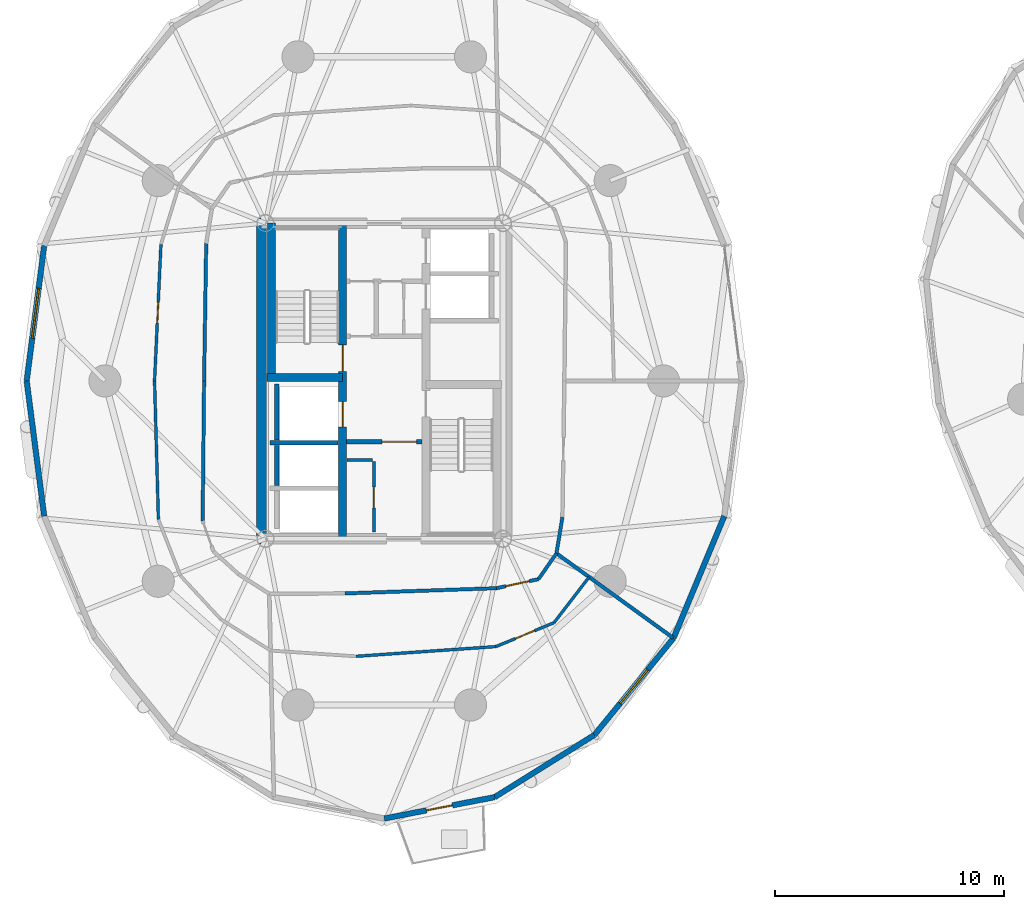
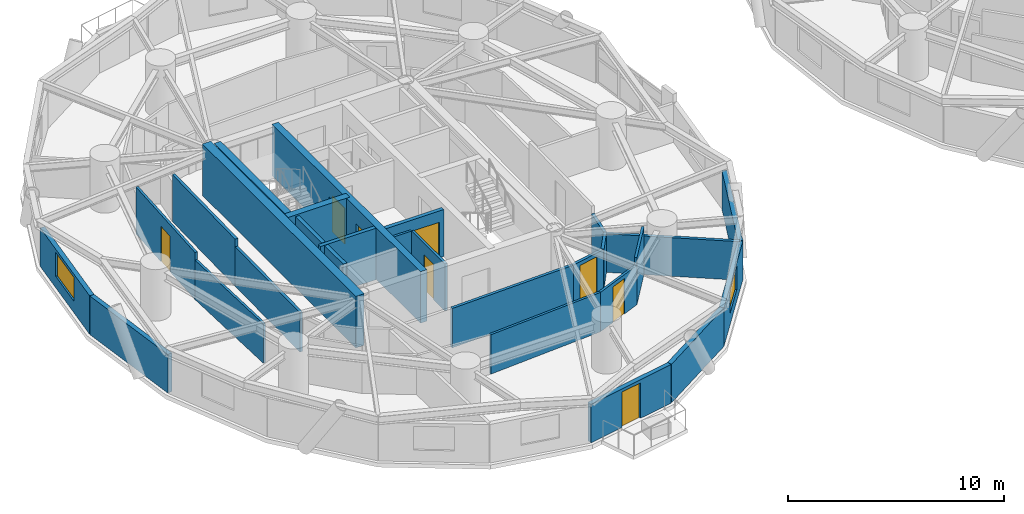
# One storey, part 9 of 18: 28 walls, 8 doors, 2 windows, 10 openings.
"""IFC4 building model written with IfcOpenShell, lengths in metres."""

import ifcopenshell
import ifcopenshell.guid

model = None  # the IFC model being written
_history = None  # IfcOwnerHistory: only IFC2X3 demands one
_inside = {}  # id of a spatial element -> (the spatial element, [elements in it])
_under = {}  # id of a project, library or spatial element -> (it, [spatial elements below it])
_declared = {}  # id of a project -> (the project, [libraries it declares])
_typed = {}  # id of a type object -> (the type object, [elements of that type])
_made_of = {}  # id of a material, layer set ... -> (it, [elements and type objects made of it])


def new_model(schema):
    """Start an empty IFC model of exactly this schema.

    Asked for "IFC4X3", IfcOpenShell would pick the latest addendum, in which some entities
    have other attributes; the version numbers below select the first issue.
    IFC2X3 requires an IfcOwnerHistory on every rooted entity: one is made here for all.
    """
    global model, _history
    if schema == "IFC4X3":
        model = ifcopenshell.file(schema_version=(4, 3, 0, 0))
    else:
        model = ifcopenshell.file(schema=schema)
    _inside.clear()
    _under.clear()
    _declared.clear()
    _typed.clear()
    _made_of.clear()
    _history = None
    if model.schema == "IFC2X3":
        org = make("IfcOrganization", Name="unknown")
        user = make(
            "IfcPersonAndOrganization",
            ThePerson=make("IfcPerson", FamilyName="unknown"),
            TheOrganization=org,
        )
        app = make(
            "IfcApplication",
            ApplicationDeveloper=org,
            Version="unknown",
            ApplicationFullName="unknown",
            ApplicationIdentifier="unknown",
        )
        _history = make(
            "IfcOwnerHistory",
            OwningUser=user,
            OwningApplication=app,
            ChangeAction="ADDED",
            CreationDate=0,
        )
    return model


def make(cls, **values):
    """One entity of the class cls with the attributes given. An attribute that is None is left unset."""
    return model.create_entity(
        cls, **{name: value for name, value in values.items() if value is not None}
    )


def rooted(cls, **values):
    """An entity with a GlobalId (a new one), such as an element, a storey or a relation."""
    return make(cls, GlobalId=ifcopenshell.guid.new(), OwnerHistory=_history, **values)


def si_unit(unit_type, name, prefix=None):
    """IfcSIUnit, for example si_unit("LENGTHUNIT", "METRE", prefix="MILLI")."""
    return make("IfcSIUnit", UnitType=unit_type, Prefix=prefix, Name=name)


def assignment(units):
    """IfcUnitAssignment: the units of a project."""
    return None if units is None else make("IfcUnitAssignment", Units=units)


def point(xyz):
    """IfcCartesianPoint."""
    return None if xyz is None else make("IfcCartesianPoint", Coordinates=xyz)


def direction(xyz):
    """IfcDirection."""
    return None if xyz is None else make("IfcDirection", DirectionRatios=xyz)


def frame(location, z_axis=None, x_axis=None):
    """IfcAxis2Placement3D, a coordinate frame: its origin and axes. An axis left out is left unset."""
    return make(
        "IfcAxis2Placement3D",
        Location=point(location),
        Axis=direction(z_axis),
        RefDirection=direction(x_axis),
    )


def frame_2d(location, x_axis=None):
    """IfcAxis2Placement2D, a coordinate frame in the plane: its origin and x axis."""
    return make(
        "IfcAxis2Placement2D", Location=point(location), RefDirection=direction(x_axis)
    )


def origin():
    """The frame at (0, 0, 0) with its axes left unset."""
    return frame((0.0, 0.0, 0.0))


def place(relative_to, where):
    """IfcLocalPlacement: puts the frame where relative to a parent placement (None: the world)."""
    return make(
        "IfcLocalPlacement", PlacementRelTo=relative_to, RelativePlacement=where
    )


def context(
    kind, dimensions, precision=None, world=None, true_north=None, identifier=None
):
    """IfcGeometricRepresentationContext, for example the 3D "Model" context."""
    return make(
        "IfcGeometricRepresentationContext",
        ContextIdentifier=identifier,
        ContextType=kind,
        CoordinateSpaceDimension=dimensions,
        Precision=precision,
        WorldCoordinateSystem=world,
        TrueNorth=true_north,
    )


def subcontext(parent, identifier, kind, view, scale=None):
    """IfcGeometricRepresentationSubContext, for example "Body" below "Model"."""
    return make(
        "IfcGeometricRepresentationSubContext",
        ContextIdentifier=identifier,
        ContextType=kind,
        ParentContext=parent,
        TargetScale=scale,
        TargetView=view,
    )


def project(units=None, contexts=None):
    """IfcProject with its units and contexts."""
    return rooted(
        "IfcProject",
        Name="project",
        RepresentationContexts=contexts,
        UnitsInContext=assignment(units),
    )


def spatial(cls, under=None, at=None, **own):
    """A site, building, storey or space (cls), placed at a placement, below another one or the project."""
    s = rooted(cls, ObjectPlacement=at, **own)
    if under is not None:
        _under.setdefault(under.id(), (under, []))[1].append(s)
    return s


def profile(cls, at=None, kind="AREA", **sizes):
    """A parametric profile (cls). Its sizes go by their IFC names, for example OverallWidth=200.0."""
    return make(cls, ProfileType=kind, Position=at, **sizes)


def rectangle(**sizes):
    """IfcRectangleProfileDef."""
    return profile("IfcRectangleProfileDef", **sizes)


def extrude(swept, where, along, depth):
    """IfcExtrudedAreaSolid: the profile swept, set in the frame where, extruded along a direction by depth."""
    return make(
        "IfcExtrudedAreaSolid",
        SweptArea=swept,
        Position=where,
        ExtrudedDirection=direction(along),
        Depth=depth,
    )


def shape(context_of_items, identifier, shape_type, items):
    """IfcShapeRepresentation: the items that make up one representation, for example the "Body"."""
    return make(
        "IfcShapeRepresentation",
        ContextOfItems=context_of_items,
        RepresentationIdentifier=identifier,
        RepresentationType=shape_type,
        Items=items,
    )


def source(mapping_origin, context_of_items, identifier, shape_type, items):
    """IfcRepresentationMap: a shape defined once, which mapped items show again and again."""
    return make(
        "IfcRepresentationMap",
        MappingOrigin=mapping_origin,
        MappedRepresentation=shape(context_of_items, identifier, shape_type, items),
    )


def transform(
    local_origin,
    x_axis=None,
    y_axis=None,
    z_axis=None,
    scale=None,
    scale2=None,
    scale3=None,
    uniform=True,
):
    """IfcCartesianTransformationOperator3D, or its non-uniform kind. x_axis, y_axis, z_axis: its Axis1, 2, 3."""
    if uniform:
        return make(
            "IfcCartesianTransformationOperator3D",
            Axis1=direction(x_axis),
            Axis2=direction(y_axis),
            LocalOrigin=point(local_origin),
            Scale=scale,
            Axis3=direction(z_axis),
        )
    return make(
        "IfcCartesianTransformationOperator3DnonUniform",
        Axis1=direction(x_axis),
        Axis2=direction(y_axis),
        LocalOrigin=point(local_origin),
        Scale=scale,
        Axis3=direction(z_axis),
        Scale2=scale2,
        Scale3=scale3,
    )


def mapped(mapping_source, mapping_target):
    """IfcMappedItem: shows the shape of a source again, moved by a transform."""
    return make(
        "IfcMappedItem", MappingSource=mapping_source, MappingTarget=mapping_target
    )


def material(Name=None, Category=None):
    """IfcMaterial."""
    return make("IfcMaterial", Name=Name, Category=Category)


def layer(
    of_material, thickness, ventilated=None, Name=None, Category=None, Priority=None
):
    """IfcMaterialLayer: one layer of a wall or slab, of a material (None: an air gap)."""
    return make(
        "IfcMaterialLayer",
        Material=of_material,
        LayerThickness=thickness,
        IsVentilated=ventilated,
        Name=Name,
        Category=Category,
        Priority=Priority,
    )


def layer_set(layers, Name=None):
    """IfcMaterialLayerSet."""
    return make("IfcMaterialLayerSet", MaterialLayers=layers, LayerSetName=Name)


def made_of(thing, what):
    """Note that an element or type object is made of a material, layer set ...; save() writes the relation."""
    if what is not None:
        _made_of.setdefault(what.id(), (what, []))[1].append(thing)
    return thing


def type_object(cls, material=None, **own):
    """A type object (cls), such as IfcWallType, which elements share."""
    return made_of(rooted(cls, **own), material)


def element(
    cls,
    number,
    at=None,
    inside=None,
    cuts=None,
    type_object=None,
    material=None,
    context=None,
    identifier="Body",
    shape_type=None,
    held_by="IfcProductDefinitionShape",
    body=None,
    shapes=None,
    **own,
):
    """One element of the class cls, such as IfcWall. Its Tag is "e" and its number.

    at: its placement. inside: the storey or other place that contains it. cuts: it is an
    opening in that element (IfcRelVoidsElement). A single representation is given by context,
    identifier, shape_type and body (its items); several are given by shapes. held_by: the class
    of the entity that holds the representations. save() writes the other relations.
    """
    e = rooted(cls, Tag="e%d" % number, ObjectPlacement=at, **own)
    if body is not None:
        shapes = [shape(context, identifier, shape_type, body)]
    if shapes is not None:
        e.Representation = make(held_by, Representations=shapes)
    if inside is not None:
        _inside.setdefault(inside.id(), (inside, []))[1].append(e)
    if cuts is not None:
        rooted(
            "IfcRelVoidsElement", RelatingBuildingElement=cuts, RelatedOpeningElement=e
        )
    if type_object is not None:
        _typed.setdefault(type_object.id(), (type_object, []))[1].append(e)
    return made_of(e, material)


def fill(opening, filler):
    """IfcRelFillsElement: the door or window that sits in an opening."""
    return rooted(
        "IfcRelFillsElement",
        RelatingOpeningElement=opening,
        RelatedBuildingElement=filler,
    )


def aggregate(whole, parts):
    """IfcRelAggregates: a whole, such as a stair, and the parts it consists of."""
    return rooted("IfcRelAggregates", RelatingObject=whole, RelatedObjects=parts)


def save(model, path):
    """Write the relations noted so far, then the file.

    IfcRelAggregates (storeys below a building ...), IfcRelContainedInSpatialStructure (elements
    in a storey), IfcRelDefinesByType, IfcRelAssociatesMaterial and IfcRelDeclares: one each for
    every whole, place, type object, material and project.
    """
    for whole, parts in _under.values():
        aggregate(whole, parts)
    for where, things in _inside.values():
        rooted(
            "IfcRelContainedInSpatialStructure",
            RelatedElements=things,
            RelatingStructure=where,
        )
    for kind, things in _typed.values():
        rooted("IfcRelDefinesByType", RelatedObjects=things, RelatingType=kind)
    for what, things in _made_of.values():
        rooted("IfcRelAssociatesMaterial", RelatedObjects=things, RelatingMaterial=what)
    for by, libraries in _declared.values():
        rooted("IfcRelDeclares", RelatingContext=by, RelatedDefinitions=libraries)
    model.write(path)


model = new_model("IFC4")

# Units and contexts
model_context = context("Model", 3, precision=1e-05, world=origin(), true_north=direction((0.0, 1.0)))
body_context = subcontext(model_context, "Body", "Model", "MODEL_VIEW")
ifc_project = project(units=[si_unit("LENGTHUNIT", "METRE"), si_unit("AREAUNIT", "SQUARE_METRE"), si_unit("VOLUMEUNIT", "CUBIC_METRE"), si_unit("PLANEANGLEUNIT", "RADIAN"), si_unit("MASSUNIT", "GRAM", prefix="KILO")], contexts=[model_context])

# Site, building, storey
site_placement = place(None, origin())
site = spatial("IfcSite", under=ifc_project, at=site_placement, CompositionType="ELEMENT")
building_placement = place(site_placement, origin())
building = spatial("IfcBuilding", under=site, at=building_placement, Name="Cununo Teusaquillo Station Towers", CompositionType="ELEMENT")
storey_placement = place(building_placement, frame((0.0, 0.0, 87.610107421875)))
storey = spatial("IfcBuildingStorey", under=building, at=storey_placement, Name="L27", CompositionType="ELEMENT", Elevation=87.610107421875)

# Walls
ifc_material_1 = material(Name="Concrete C50/60", Category="concrete")
ifc_layer_1 = layer(ifc_material_1, 0.199951171875)
ifc_layer_set_1 = layer_set([ifc_layer_1], Name="Concrete C50/60")
wall_type_1 = type_object("IfcWallType", Name="WL-CORE-200", PredefinedType="SHEAR", material=ifc_layer_set_1)
wall_1_placement = place(storey_placement, frame((11.52001953125, 21.800048828125, 0.0), z_axis=(0.0, 0.0, 1.0), x_axis=(1.0, 0.0, 0.0)))
element("IfcWall", 1, at=wall_1_placement, inside=storey, type_object=wall_type_1, Name="L27 Tower A Firefighting Lift Shaft South Shear Wall", PredefinedType="SHEAR", context=body_context, shape_type="SweptSolid", body=[
    extrude(rectangle(XDim=2.969970703125, YDim=0.199951171875, at=frame_2d((1.48486328125, 0.0))), origin(), (0.0, 0.0, 1.0), 2.909912109375),
])
wall_2_placement = place(storey_placement, frame((11.820068359375, 21.919921875, 0.0), z_axis=(0.0, 0.0, 1.0), x_axis=(0.0, 1.0, 0.0)))
element("IfcWall", 2, at=wall_2_placement, inside=storey, type_object=wall_type_1, Name="L27 Tower A Firefighting Lift Shaft Rear Shear Wall", PredefinedType="SHEAR", context=body_context, shape_type="SweptSolid", body=[
    extrude(rectangle(XDim=2.440185546875, YDim=0.199951171875, at=frame_2d((1.22021484375, 0.0))), origin(), (0.0, 0.0, 1.0), 2.909912109375),
])
wall_3_placement = place(storey_placement, frame((11.820068359375, 19.945068359375, 0.0), z_axis=(0.0, 0.0, 1.0), x_axis=(0.0, 1.0, 0.0)))
element("IfcWall", 3, at=wall_3_placement, inside=storey, type_object=wall_type_1, Name="L27 Tower A High-Rise Lift 2 Shaft Rear Shear Wall", PredefinedType="SHEAR", context=body_context, shape_type="SweptSolid", body=[
    extrude(rectangle(XDim=1.73486328125, YDim=0.199951171875, at=frame_2d((0.867431640625, 0.0))), origin(), (0.0, 0.0, 1.0), 2.909912109375),
])

# Wall, openings, doors
ifc_material_2 = material(Name="Concrete C50/60", Category="concrete")
ifc_layer_2 = layer(ifc_material_2, 0.35009765625)
ifc_layer_set_2 = layer_set([ifc_layer_2], Name="Concrete C50/60")
wall_type_2 = type_object("IfcWallType", Name="WL-CORE-350", PredefinedType="SHEAR", material=ifc_layer_set_2)
wall_4_placement = place(storey_placement, frame((14.68505859375, 17.625, 0.0), z_axis=(0.0, 0.0, 1.0), x_axis=(0.0, 1.0, 0.0)))
wall_4 = element("IfcWall", 4, at=wall_4_placement, inside=storey, type_object=wall_type_2, Name="L27 Tower A Core Shear Wall IW", PredefinedType="SHEAR", context=body_context, shape_type="SweptSolid", body=[
    extrude(rectangle(XDim=13.75, YDim=0.35009765625, at=frame_2d((6.875, 0.0))), origin(), (0.0, 0.0, 1.0), 2.909912109375),
])
shared_shape_1 = source(origin(), body_context, "Body", "SweptSolid", [
    extrude(rectangle(XDim=1.10009765625, YDim=2.014892578125, at=frame_2d((0.550048828125, 1.00732421875))), frame((0.0, 0.18505859375, 0.0), z_axis=(0.0, -1.0, 0.0), x_axis=(1.0, 0.0, 0.0)), (0.0, 0.0, 1.0), 0.3701171875),
])
opening_1_placement = place(wall_4_placement, frame((4.875, 0.0, 0.0)))
opening_1 = element("IfcOpeningElement", 5, at=opening_1_placement, cuts=wall_4, Name="Opening LD-01", PredefinedType="OPENING", context=body_context, shape_type="MappedRepresentation", body=[
    mapped(shared_shape_1, transform((0.0, 0.0, 0.0), x_axis=(1.0, 0.0, 0.0), y_axis=(0.0, 1.0, 0.0), z_axis=(0.0, 0.0, 1.0), scale=1.0)),
])
shared_shape_2 = source(origin(), body_context, "Body", "SweptSolid", [
    extrude(rectangle(XDim=1.14990234375, YDim=2.02001953125, at=frame_2d((0.574951171875, 1.010009765625))), frame((0.0, 0.18505859375, 0.0), z_axis=(0.0, -1.0, 0.0), x_axis=(1.0, 0.0, 0.0)), (0.0, 0.0, 1.0), 0.3701171875),
])
opening_2_placement = place(wall_4_placement, frame((7.294921875, 0.0, 0.0)))
opening_2 = element("IfcOpeningElement", 6, at=opening_2_placement, cuts=wall_4, Name="Opening D-ST1", PredefinedType="OPENING", context=body_context, shape_type="MappedRepresentation", body=[
    mapped(shared_shape_2, transform((0.0, 0.0, 0.0), x_axis=(1.0, 0.0, 0.0), y_axis=(0.0, 1.0, 0.0), z_axis=(0.0, 0.0, 1.0), scale=1.0)),
])
ifc_material_3 = material(Name="Galvanised fire-rated hollow steel door assembly", Category="steel")
door_type_1 = type_object("IfcDoorType", Name="DR-LIFT-1100", OperationType="SLIDING_TO_LEFT", PredefinedType="DOOR", material=ifc_material_3)
shared_shape_3 = source(origin(), body_context, "Body", "SweptSolid", [
    extrude(rectangle(XDim=1.10009765625, YDim=2.014892578125, at=frame_2d((0.550048828125, 1.00732421875))), frame((0.0, 0.02490234375, 0.0), z_axis=(0.0, -1.0, 0.0), x_axis=(1.0, 0.0, 0.0)), (0.0, 0.0, 1.0), 0.050048828125),
])
door_1_placement = place(opening_1_placement, origin())
door_1 = element("IfcDoor", 7, at=door_1_placement, inside=storey, type_object=door_type_1, Name="L27 Lift FL-T1 Sliding Landing Door", OperationType="SLIDING_TO_RIGHT", OverallHeight=2.014892578125, OverallWidth=1.10009765625, PredefinedType="DOOR", context=body_context, shape_type="MappedRepresentation", body=[
    mapped(shared_shape_3, transform((0.0, 0.0, 0.0), x_axis=(1.0, 0.0, 0.0), y_axis=(0.0, 1.0, 0.0), z_axis=(0.0, 0.0, 1.0), scale=1.0)),
])
fill(opening_1, door_1)
ifc_material_4 = material(Name="Galvanised fire-rated hollow steel door assembly", Category="steel")
door_type_2 = type_object("IfcDoorType", Name="DR-STAIR-1150", OperationType="NOTDEFINED", PredefinedType="DOOR", material=ifc_material_4)
shared_shape_4 = source(origin(), body_context, "Body", "SweptSolid", [
    extrude(rectangle(XDim=1.14990234375, YDim=2.02001953125, at=frame_2d((0.574951171875, 1.010009765625))), frame((0.0, 0.02490234375, 0.0), z_axis=(0.0, -1.0, 0.0), x_axis=(1.0, 0.0, 0.0)), (0.0, 0.0, 1.0), 0.050048828125),
])
door_2_placement = place(opening_2_placement, origin())
door_2 = element("IfcDoor", 8, at=door_2_placement, inside=storey, type_object=door_type_2, Name="L27 Tower A Exit Stair 1 Fire Door", OperationType="SINGLE_SWING_LEFT", OverallHeight=2.02001953125, OverallWidth=1.14990234375, PredefinedType="DOOR", context=body_context, shape_type="MappedRepresentation", body=[
    mapped(shared_shape_4, transform((0.0, 0.0, 0.0), x_axis=(1.0, 0.0, 0.0), y_axis=(0.0, 1.0, 0.0), z_axis=(0.0, 0.0, 1.0), scale=1.0)),
])
fill(opening_2, door_2)

# Walls
wall_5_placement = place(storey_placement, frame((11.594970703125, 24.655029296875, 0.0), z_axis=(0.0, 0.0, 1.0), x_axis=(0.0, 1.0, 0.0)))
element("IfcWall", 9, at=wall_5_placement, inside=storey, type_object=wall_type_2, Name="L27 Tower A Core Shear Wall ST1W", PredefinedType="SHEAR", context=body_context, shape_type="SweptSolid", body=[
    extrude(rectangle(XDim=6.719970703125, YDim=0.35009765625, at=frame_2d((3.35986328125, 0.0))), origin(), (0.0, 0.0, 1.0), 2.909912109375),
])
wall_6_placement = place(storey_placement, frame((11.39990234375, 24.655029296875, 0.0), z_axis=(0.0, 0.0, 1.0), x_axis=(1.0, 0.0, 0.0)))
element("IfcWall", 10, at=wall_6_placement, inside=storey, type_object=wall_type_2, Name="L27 Tower A Core Shear Wall ST1S", PredefinedType="SHEAR", context=body_context, shape_type="SweptSolid", body=[
    extrude(rectangle(XDim=3.28515625, YDim=0.35009765625, at=frame_2d((1.642578125, 0.0))), origin(), (0.0, 0.0, 1.0), 2.909912109375),
])
ifc_material_5 = material(Name="Concrete C60/75", Category="concrete")
ifc_layer_3 = layer(ifc_material_5, 0.449951171875)
ifc_layer_set_3 = layer_set([ifc_layer_3], Name="Concrete C60/75")
wall_type_3 = type_object("IfcWallType", Name="WL-CORE-450", PredefinedType="SHEAR", material=ifc_layer_set_3)
wall_7_placement = place(storey_placement, frame((11.14990234375, 17.39990234375, 0.0), z_axis=(0.0, 0.0, 1.0), x_axis=(0.0, 1.0, 0.0)))
element("IfcWall", 11, at=wall_7_placement, inside=storey, type_object=wall_type_3, Name="L27 Tower A Core Shear Wall W", PredefinedType="SHEAR", context=body_context, shape_type="SweptSolid", body=[
    extrude(rectangle(XDim=14.2001953125, YDim=0.449951171875, at=frame_2d((7.10009765625, 0.0))), origin(), (0.0, 0.0, 1.0), 2.909912109375),
])

# Wall, opening, window
ifc_material_6 = material(Name="Precast concrete C40/50", Category="concrete")
ifc_layer_4 = layer(ifc_material_6, 0.239990234375)
ifc_layer_set_4 = layer_set([ifc_layer_4], Name="Precast concrete C40/50")
wall_type_4 = type_object("IfcWallType", Name="WL-EXT-240", PredefinedType="SOLIDWALL", material=ifc_layer_set_4)
wall_8_placement = place(storey_placement, frame((0.9189453125, 24.5, 0.0), z_axis=(0.0, 0.0, 1.0), x_axis=(0.128351991996, 0.991728675672, 0.0)))
wall_8 = element("IfcWall", 12, at=wall_8_placement, inside=storey, type_object=wall_type_4, Name="L27 Tower A Exterior Facade Wall C09", PredefinedType="SOLIDWALL", context=body_context, shape_type="SweptSolid", body=[
    extrude(rectangle(XDim=5.942138671875, YDim=0.239990234375, at=frame_2d((2.97119140625, 0.0))), origin(), (0.0, 0.0, 1.0), 2.178955078125),
])
shared_shape_5 = source(origin(), body_context, "Body", "SweptSolid", [
    extrude(rectangle(XDim=2.199951171875, YDim=1.35009765625, at=frame_2d((1.10009765625, 0.675048828125))), frame((0.0, 0.1298828125, 0.0), z_axis=(0.0, -1.0, 0.0), x_axis=(1.0, 0.0, 0.0)), (0.0, 0.0, 1.0), 0.260009765625),
])
opening_3_placement = place(wall_8_placement, frame((1.87109375, 0.0, 0.64990234375)))
opening_3 = element("IfcOpeningElement", 13, at=opening_3_placement, cuts=wall_8, Name="Opening WN-01", PredefinedType="OPENING", context=body_context, shape_type="MappedRepresentation", body=[
    mapped(shared_shape_5, transform((0.0, 0.0, 0.0), x_axis=(1.0, 0.0, 0.0), y_axis=(0.0, 1.0, 0.0), z_axis=(0.0, 0.0, 1.0), scale=1.0)),
])
ifc_material_7 = material(Name="Ceramic-fritted dark low-E double glazing", Category="glass")
window_type_1 = type_object("IfcWindowType", Name="WIN-FRIT-2200", PartitioningType="DOUBLE_PANEL_VERTICAL", PredefinedType="WINDOW", material=ifc_material_7)
shared_shape_6 = source(origin(), body_context, "Body", "SweptSolid", [
    extrude(rectangle(XDim=2.199951171875, YDim=1.35009765625, at=frame_2d((1.10009765625, 0.675048828125))), frame((0.0, 0.030029296875, 0.0), z_axis=(0.0, -1.0, 0.0), x_axis=(1.0, 0.0, 0.0)), (0.0, 0.0, 1.0), 0.06005859375),
])
window_1_placement = place(opening_3_placement, origin())
window_1 = element("IfcWindow", 14, at=window_1_placement, inside=storey, type_object=window_type_1, Name="L27 Tower A Facade Window C09", OverallHeight=1.35009765625, OverallWidth=2.199951171875, PartitioningType="DOUBLE_PANEL_VERTICAL", PredefinedType="WINDOW", context=body_context, shape_type="MappedRepresentation", body=[
    mapped(shared_shape_6, transform((0.0, 0.0, 0.0), x_axis=(1.0, 0.0, 0.0), y_axis=(0.0, 1.0, 0.0), z_axis=(0.0, 0.0, 1.0), scale=1.0)),
])
fill(opening_3, window_1)

# Wall
wall_9_placement = place(storey_placement, frame((1.681640625, 18.60693359375, 0.0), z_axis=(0.0, 0.0, 1.0), x_axis=(-0.128351991996, 0.991728675672, 0.0)))
element("IfcWall", 15, at=wall_9_placement, inside=storey, type_object=wall_type_4, Name="L27 Tower A Exterior Facade Wall C10", PredefinedType="SOLIDWALL", context=body_context, shape_type="SweptSolid", body=[
    extrude(rectangle(XDim=5.942138671875, YDim=0.239990234375, at=frame_2d((2.97119140625, 0.0))), origin(), (0.0, 0.0, 1.0), 2.178955078125),
])

# Wall, opening, door
wall_10_placement = place(storey_placement, frame((21.314697265625, 6.36328125, 0.0), z_axis=(0.0, 0.0, 1.0), x_axis=(-0.981723785992, -0.190311344954, 0.0)))
wall_10 = element("IfcWall", 16, at=wall_10_placement, inside=storey, type_object=wall_type_4, Name="L27 Tower A Exterior Facade Wall C15", PredefinedType="SOLIDWALL", context=body_context, shape_type="SweptSolid", body=[
    extrude(rectangle(XDim=4.904296875, YDim=0.239990234375, at=frame_2d((2.4521484375, 0.0))), origin(), (0.0, 0.0, 1.0), 2.178955078125),
])
shared_shape_7 = source(origin(), body_context, "Body", "SweptSolid", [
    extrude(rectangle(XDim=1.14990234375, YDim=2.0048828125, at=frame_2d((0.574951171875, 1.00244140625))), frame((0.0, 0.1298828125, 0.0), z_axis=(0.0, -1.0, 0.0), x_axis=(1.0, 0.0, 0.0)), (0.0, 0.0, 1.0), 0.260009765625),
])
opening_4_placement = place(wall_10_placement, frame((1.876953125, 0.0, 0.0)))
opening_4 = element("IfcOpeningElement", 17, at=opening_4_placement, cuts=wall_10, Name="Opening ED-03", PredefinedType="OPENING", context=body_context, shape_type="MappedRepresentation", body=[
    mapped(shared_shape_7, transform((0.0, 0.0, 0.0), x_axis=(1.0, 0.0, 0.0), y_axis=(0.0, 1.0, 0.0), z_axis=(0.0, 0.0, 1.0), scale=1.0)),
])
ifc_material_8 = material(Name="Anodised dark bronze aluminium EN AW-6063-T6", Category="aluminium")
door_type_3 = type_object("IfcDoorType", Name="DR-EXT-BAL", OperationType="NOTDEFINED", PredefinedType="DOOR", material=ifc_material_8)
shared_shape_8 = source(origin(), body_context, "Body", "SweptSolid", [
    extrude(rectangle(XDim=1.14990234375, YDim=2.0048828125, at=frame_2d((0.574951171875, 1.00244140625))), frame((0.0, 0.02490234375, 0.0), z_axis=(0.0, -1.0, 0.0), x_axis=(1.0, 0.0, 0.0)), (0.0, 0.0, 1.0), 0.050048828125),
])
door_3_placement = place(opening_4_placement, origin())
door_3 = element("IfcDoor", 18, at=door_3_placement, inside=storey, type_object=door_type_3, Name="L27 Tower A Tree Balcony Door C15", OperationType="SINGLE_SWING_LEFT", OverallHeight=2.0048828125, OverallWidth=1.14990234375, PredefinedType="DOOR", context=body_context, shape_type="MappedRepresentation", body=[
    mapped(shared_shape_8, transform((0.0, 0.0, 0.0), x_axis=(1.0, 0.0, 0.0), y_axis=(0.0, 1.0, 0.0), z_axis=(0.0, 0.0, 1.0), scale=1.0)),
])
fill(opening_4, door_3)

# Wall
wall_11_placement = place(storey_placement, frame((25.658203125, 9.072021484375, 0.0), z_axis=(0.0, 0.0, 1.0), x_axis=(-0.848520380187, -0.529162701263, 0.0)))
element("IfcWall", 19, at=wall_11_placement, inside=storey, type_object=wall_type_4, Name="L27 Tower A Exterior Facade Wall C16", PredefinedType="SOLIDWALL", context=body_context, shape_type="SweptSolid", body=[
    extrude(rectangle(XDim=5.118896484375, YDim=0.239990234375, at=frame_2d((2.5595703125, 0.0))), origin(), (0.0, 0.0, 1.0), 2.178955078125),
])

# Wall, opening, window
wall_12_placement = place(storey_placement, frame((29.105224609375, 13.291015625, 0.0), z_axis=(0.0, 0.0, 1.0), x_axis=(-0.632700781152, -0.77439635945, 0.0)))
wall_12 = element("IfcWall", 20, at=wall_12_placement, inside=storey, type_object=wall_type_4, Name="L27 Tower A Exterior Facade Wall C17", PredefinedType="SOLIDWALL", context=body_context, shape_type="SweptSolid", body=[
    extrude(rectangle(XDim=5.447998046875, YDim=0.239990234375, at=frame_2d((2.72412109375, 0.0))), origin(), (0.0, 0.0, 1.0), 2.178955078125),
])
shared_shape_9 = source(origin(), body_context, "Body", "SweptSolid", [
    extrude(rectangle(XDim=1.89990234375, YDim=1.35009765625, at=frame_2d((0.949951171875, 0.675048828125))), frame((0.0, 0.1298828125, 0.0), z_axis=(0.0, -1.0, 0.0), x_axis=(1.0, 0.0, 0.0)), (0.0, 0.0, 1.0), 0.260009765625),
])
opening_5_placement = place(wall_12_placement, frame((1.77392578125, 0.0, 0.64990234375)))
opening_5 = element("IfcOpeningElement", 21, at=opening_5_placement, cuts=wall_12, Name="Opening WN-02", PredefinedType="OPENING", context=body_context, shape_type="MappedRepresentation", body=[
    mapped(shared_shape_9, transform((0.0, 0.0, 0.0), x_axis=(1.0, 0.0, 0.0), y_axis=(0.0, 1.0, 0.0), z_axis=(0.0, 0.0, 1.0), scale=1.0)),
])
ifc_material_9 = material(Name="Operable acoustic tinted low-E double glazing", Category="glass")
window_type_2 = type_object("IfcWindowType", Name="WIN-OPER-1900", PartitioningType="DOUBLE_PANEL_VERTICAL", PredefinedType="WINDOW", material=ifc_material_9)
shared_shape_10 = source(origin(), body_context, "Body", "SweptSolid", [
    extrude(rectangle(XDim=1.89990234375, YDim=1.35009765625, at=frame_2d((0.949951171875, 0.675048828125))), frame((0.0, 0.030029296875, 0.0), z_axis=(0.0, -1.0, 0.0), x_axis=(1.0, 0.0, 0.0)), (0.0, 0.0, 1.0), 0.06005859375),
])
window_2_placement = place(opening_5_placement, origin())
window_2 = element("IfcWindow", 22, at=window_2_placement, inside=storey, type_object=window_type_2, Name="L27 Tower A Facade Window C17", OverallHeight=1.35009765625, OverallWidth=1.89990234375, PartitioningType="DOUBLE_PANEL_VERTICAL", PredefinedType="WINDOW", context=body_context, shape_type="MappedRepresentation", body=[
    mapped(shared_shape_10, transform((0.0, 0.0, 0.0), x_axis=(1.0, 0.0, 0.0), y_axis=(0.0, 1.0, 0.0), z_axis=(0.0, 0.0, 1.0), scale=1.0)),
])
fill(opening_5, window_2)

# Wall
wall_13_placement = place(storey_placement, frame((31.318359375, 18.60693359375, 0.0), z_axis=(0.0, 0.0, 1.0), x_axis=(-0.384344417632, -0.923189779317, 0.0)))
element("IfcWall", 23, at=wall_13_placement, inside=storey, type_object=wall_type_4, Name="L27 Tower A Exterior Facade Wall C18", PredefinedType="SOLIDWALL", context=body_context, shape_type="SweptSolid", body=[
    extrude(rectangle(XDim=5.75830078125, YDim=0.239990234375, at=frame_2d((2.879150390625, 0.0))), origin(), (0.0, 0.0, 1.0), 2.178955078125),
])

# Wall, opening, door
ifc_material_10 = material(Name="Fire-rated gypsum plasterboard partition assembly", Category="gypsum")
ifc_layer_5 = layer(ifc_material_10, 0.125)
ifc_layer_set_5 = layer_set([ifc_layer_5], Name="Fire-rated gypsum plasterboard partition assembly")
wall_type_5 = type_object("IfcWallType", Name="WL-PART-125", PredefinedType="PARTITIONING", material=ifc_layer_set_5)
wall_14_placement = place(storey_placement, frame((16.050048828125, 17.919921875, 0.0), z_axis=(0.0, 0.0, 1.0), x_axis=(0.0, 1.0, 0.0)))
wall_14 = element("IfcWall", 24, at=wall_14_placement, inside=storey, type_object=wall_type_5, Name="L27 Tower A South-West Tall Store East Wall", PredefinedType="PARTITIONING", context=body_context, shape_type="SweptSolid", body=[
    extrude(rectangle(XDim=3.080078125, YDim=0.125, at=frame_2d((1.5400390625, 0.0))), origin(), (0.0, 0.0, 1.0), 2.65478515625),
])
shared_shape_11 = source(origin(), body_context, "Body", "SweptSolid", [
    extrude(rectangle(XDim=0.89990234375, YDim=2.0048828125, at=frame_2d((0.449951171875, 1.00244140625))), frame((0.0, 0.072509765625, 0.0), z_axis=(0.0, -1.0, 0.0), x_axis=(1.0, 0.0, 0.0)), (0.0, 0.0, 1.0), 0.14501953125),
])
opening_6_placement = place(wall_14_placement, frame((1.050048828125, 0.0, 0.0)))
opening_6 = element("IfcOpeningElement", 25, at=opening_6_placement, cuts=wall_14, Name="Opening D-SR1", PredefinedType="OPENING", context=body_context, shape_type="MappedRepresentation", body=[
    mapped(shared_shape_11, transform((0.0, 0.0, 0.0), x_axis=(1.0, 0.0, 0.0), y_axis=(0.0, 1.0, 0.0), z_axis=(0.0, 0.0, 1.0), scale=1.0)),
])
ifc_material_11 = material(Name="Galvanised fire-rated hollow steel door assembly", Category="steel")
door_type_4 = type_object("IfcDoorType", Name="DR-STORE-900", OperationType="NOTDEFINED", PredefinedType="DOOR", material=ifc_material_11)
shared_shape_12 = source(origin(), body_context, "Body", "SweptSolid", [
    extrude(rectangle(XDim=0.89990234375, YDim=2.0048828125, at=frame_2d((0.449951171875, 1.00244140625))), frame((0.0, 0.02490234375, 0.0), z_axis=(0.0, -1.0, 0.0), x_axis=(1.0, 0.0, 0.0)), (0.0, 0.0, 1.0), 0.050048828125),
])
door_4_placement = place(opening_6_placement, origin())
door_4 = element("IfcDoor", 26, at=door_4_placement, inside=storey, type_object=door_type_4, Name="L27 Tower A South Cleaners Store Door", OperationType="SINGLE_SWING_LEFT", OverallHeight=2.0048828125, OverallWidth=0.89990234375, PredefinedType="DOOR", context=body_context, shape_type="MappedRepresentation", body=[
    mapped(shared_shape_12, transform((0.0, 0.0, 0.0), x_axis=(1.0, 0.0, 0.0), y_axis=(0.0, 1.0, 0.0), z_axis=(0.0, 0.0, 1.0), scale=1.0)),
])
fill(opening_6, door_4)

# Wall
wall_15_placement = place(storey_placement, frame((14.8798828125, 21.050048828125, 0.0), z_axis=(0.0, 0.0, 1.0), x_axis=(1.0, 0.0, 0.0)))
element("IfcWall", 27, at=wall_15_placement, inside=storey, type_object=wall_type_5, Name="L27 Tower A South-West Tall Store North Wall", PredefinedType="PARTITIONING", context=body_context, shape_type="SweptSolid", body=[
    extrude(rectangle(XDim=1.10009765625, YDim=0.125, at=frame_2d((0.550048828125, 0.0))), origin(), (0.0, 0.0, 1.0), 2.65478515625),
])

# Wall, opening, door
wall_16_placement = place(storey_placement, frame((6.770263671875, 30.453125, 0.0), z_axis=(0.0, 0.0, 1.0), x_axis=(-0.046864461883, -0.998901257489, 0.0)))
wall_16 = element("IfcWall", 28, at=wall_16_placement, inside=storey, type_object=wall_type_5, Name="L27 Tower A Client Demo Briefing Gallery Concentric Partition Wall C09", PredefinedType="PARTITIONING", context=body_context, shape_type="SweptSolid", body=[
    extrude(rectangle(XDim=5.959716796875, YDim=0.125, at=frame_2d((2.97998046875, 0.0))), origin(), (0.0, 0.0, 1.0), 2.65478515625),
])
opening_7_placement = place(wall_16_placement, frame((2.52978515625, 0.0, 0.0)))
opening_7 = element("IfcOpeningElement", 29, at=opening_7_placement, cuts=wall_16, Name="Opening D-IN1", PredefinedType="OPENING", context=body_context, shape_type="MappedRepresentation", body=[
    mapped(shared_shape_11, transform((0.0, 0.0, 0.0), x_axis=(1.0, 0.0, 0.0), y_axis=(0.0, 1.0, 0.0), z_axis=(0.0, 0.0, 1.0), scale=1.0)),
])
ifc_material_12 = material(Name="Acoustic solid-core hardwood leaf assembly", Category="wood")
door_type_5 = type_object("IfcDoorType", Name="DR-INT-900", OperationType="NOTDEFINED", PredefinedType="DOOR", material=ifc_material_12)
door_5_placement = place(opening_7_placement, origin())
door_5 = element("IfcDoor", 30, at=door_5_placement, inside=storey, type_object=door_type_5, Name="L27 Tower A Client Demo Briefing Gallery Connecting Door", OperationType="SINGLE_SWING_LEFT", OverallHeight=2.0048828125, OverallWidth=0.89990234375, PredefinedType="DOOR", context=body_context, shape_type="MappedRepresentation", body=[
    mapped(shared_shape_12, transform((0.0, 0.0, 0.0), x_axis=(1.0, 0.0, 0.0), y_axis=(0.0, 1.0, 0.0), z_axis=(0.0, 0.0, 1.0), scale=1.0)),
])
fill(opening_7, door_5)

# Walls
wall_17_placement = place(storey_placement, frame((6.490966796875, 24.5, 0.0), z_axis=(0.0, 0.0, 1.0), x_axis=(0.027808577393, -0.99961326673, 0.0)))
element("IfcWall", 31, at=wall_17_placement, inside=storey, type_object=wall_type_5, Name="L27 Tower A Client Demo Briefing Gallery Concentric Partition Wall C10", PredefinedType="PARTITIONING", context=body_context, shape_type="SweptSolid", body=[
    extrude(rectangle(XDim=6.040283203125, YDim=0.125, at=frame_2d((3.02001953125, 0.0))), origin(), (0.0, 0.0, 1.0), 2.224853515625),
])
wall_18_placement = place(storey_placement, frame((15.27001953125, 12.499267578125, 0.0), z_axis=(0.0, 0.0, 1.0), x_axis=(0.997586055533, 0.069441067147, 0.0)))
element("IfcWall", 32, at=wall_18_placement, inside=storey, type_object=wall_type_5, Name="L27 Tower A Staff Espresso & Pantry Lounge Concentric Partition Wall C15", PredefinedType="PARTITIONING", context=body_context, shape_type="SweptSolid", body=[
    extrude(rectangle(XDim=6.1103515625, YDim=0.125, at=frame_2d((3.05517578125, 0.0))), origin(), (0.0, 0.0, 1.0), 2.224853515625),
])

# Wall, opening, door
wall_19_placement = place(storey_placement, frame((21.36572265625, 12.923583984375, 0.0), z_axis=(0.0, 0.0, 1.0), x_axis=(0.924996898971, 0.379974652962, 0.0)))
wall_19 = element("IfcWall", 33, at=wall_19_placement, inside=storey, type_object=wall_type_5, Name="L27 Tower A Staff Espresso & Pantry Lounge Concentric Partition Wall C16", PredefinedType="PARTITIONING", context=body_context, shape_type="SweptSolid", body=[
    extrude(rectangle(XDim=2.740966796875, YDim=0.125, at=frame_2d((1.37060546875, 0.0))), origin(), (0.0, 0.0, 1.0), 2.224853515625),
])
opening_8_placement = place(wall_19_placement, frame((0.92041015625, 0.0, 0.0)))
opening_8 = element("IfcOpeningElement", 34, at=opening_8_placement, cuts=wall_19, Name="Opening D-IN1", PredefinedType="OPENING", context=body_context, shape_type="MappedRepresentation", body=[
    mapped(shared_shape_11, transform((0.0, 0.0, 0.0), x_axis=(1.0, 0.0, 0.0), y_axis=(0.0, 1.0, 0.0), z_axis=(0.0, 0.0, 1.0), scale=1.0)),
])
door_6_placement = place(opening_8_placement, origin())
door_6 = element("IfcDoor", 35, at=door_6_placement, inside=storey, type_object=door_type_5, Name="L27 Tower A Staff Espresso & Pantry Lounge Connecting Door", OperationType="SINGLE_SWING_LEFT", OverallHeight=2.0048828125, OverallWidth=0.89990234375, PredefinedType="DOOR", context=body_context, shape_type="MappedRepresentation", body=[
    mapped(shared_shape_12, transform((0.0, 0.0, 0.0), x_axis=(1.0, 0.0, 0.0), y_axis=(0.0, 1.0, 0.0), z_axis=(0.0, 0.0, 1.0), scale=1.0)),
])
fill(opening_8, door_6)

# Walls
wall_20_placement = place(storey_placement, frame((23.901123046875, 13.965087890625, 0.0), z_axis=(0.0, 0.0, 1.0), x_axis=(0.609164923344, 0.793043565113, 0.0)))
element("IfcWall", 36, at=wall_20_placement, inside=storey, type_object=wall_type_5, Name="L27 Tower A Staff Espresso & Pantry Lounge Concentric Partition Wall C17", PredefinedType="PARTITIONING", context=body_context, shape_type="SweptSolid", body=[
    extrude(rectangle(XDim=2.508056640625, YDim=0.125, at=frame_2d((1.25390625, 0.0))), origin(), (0.0, 0.0, 1.0), 2.65478515625),
])
ifc_material_13 = material(Name="Fire-rated gypsum plasterboard partition assembly", Category="gypsum")
ifc_layer_6 = layer(ifc_material_13, 0.14990234375)
ifc_layer_set_6 = layer_set([ifc_layer_6], Name="Fire-rated gypsum plasterboard partition assembly")
wall_type_6 = type_object("IfcWallType", Name="WL-PART-150", PredefinedType="PARTITIONING", material=ifc_layer_set_6)
wall_21_placement = place(storey_placement, frame((8.74169921875, 30.47900390625, 0.0), z_axis=(0.0, 0.0, 1.0), x_axis=(-0.015351396174, -0.999882160375, 0.0)))
element("IfcWall", 37, at=wall_21_placement, inside=storey, type_object=wall_type_6, Name="L27 Tower A Corridor Ring Wall C09", PredefinedType="PARTITIONING", context=body_context, shape_type="SweptSolid", body=[
    extrude(rectangle(XDim=5.979736328125, YDim=0.14990234375, at=frame_2d((2.98974609375, 0.0))), origin(), (0.0, 0.0, 1.0), 2.65478515625),
])
wall_22_placement = place(storey_placement, frame((8.64990234375, 24.5, 0.0), z_axis=(0.0, 0.0, 1.0), x_axis=(-0.010250943023, -0.999947457703, 0.0)))
element("IfcWall", 38, at=wall_22_placement, inside=storey, type_object=wall_type_6, Name="L27 Tower A Corridor Ring Wall C10", PredefinedType="PARTITIONING", context=body_context, shape_type="SweptSolid", body=[
    extrude(rectangle(XDim=6.096923828125, YDim=0.14990234375, at=frame_2d((3.04833984375, 0.0))), origin(), (0.0, 0.0, 1.0), 2.224853515625),
])
wall_23_placement = place(storey_placement, frame((14.791748046875, 15.240478515625, 0.0), z_axis=(0.0, 0.0, 1.0), x_axis=(0.999408106202, 0.034401122909, 0.0)))
element("IfcWall", 39, at=wall_23_placement, inside=storey, type_object=wall_type_6, Name="L27 Tower A Corridor Ring Wall C15", PredefinedType="PARTITIONING", context=body_context, shape_type="SweptSolid", body=[
    extrude(rectangle(XDim=6.60009765625, YDim=0.14990234375, at=frame_2d((3.300048828125, 0.0))), origin(), (0.0, 0.0, 1.0), 2.224853515625),
])

# Wall, opening, door
wall_24_placement = place(storey_placement, frame((21.387939453125, 15.467529296875, 0.0), z_axis=(0.0, 0.0, 1.0), x_axis=(0.977672748596, 0.210133283069, 0.0)))
wall_24 = element("IfcWall", 40, at=wall_24_placement, inside=storey, type_object=wall_type_6, Name="L27 Tower A Corridor Ring Wall C16", PredefinedType="PARTITIONING", context=body_context, shape_type="SweptSolid", body=[
    extrude(rectangle(XDim=1.87646484375, YDim=0.14990234375, at=frame_2d((0.938232421875, 0.0))), origin(), (0.0, 0.0, 1.0), 2.224853515625),
])
shared_shape_13 = source(origin(), body_context, "Body", "SweptSolid", [
    extrude(rectangle(XDim=1.050048828125, YDim=2.014892578125, at=frame_2d((0.52490234375, 1.00732421875))), frame((0.0, 0.0849609375, 0.0), z_axis=(0.0, -1.0, 0.0), x_axis=(1.0, 0.0, 0.0)), (0.0, 0.0, 1.0), 0.169921875),
])
opening_9_placement = place(wall_24_placement, frame((0.4130859375, 0.0, 0.0)))
opening_9 = element("IfcOpeningElement", 41, at=opening_9_placement, cuts=wall_24, Name="Opening D-SU1", PredefinedType="OPENING", context=body_context, shape_type="MappedRepresentation", body=[
    mapped(shared_shape_13, transform((0.0, 0.0, 0.0), x_axis=(1.0, 0.0, 0.0), y_axis=(0.0, 1.0, 0.0), z_axis=(0.0, 0.0, 1.0), scale=1.0)),
])
ifc_material_14 = material(Name="Acoustic solid-core hardwood leaf assembly", Category="wood")
door_type_6 = type_object("IfcDoorType", Name="DR-SUITE-1050", OperationType="NOTDEFINED", PredefinedType="DOOR", material=ifc_material_14)
shared_shape_14 = source(origin(), body_context, "Body", "SweptSolid", [
    extrude(rectangle(XDim=1.050048828125, YDim=2.014892578125, at=frame_2d((0.52490234375, 1.00732421875))), frame((0.0, 0.02490234375, 0.0), z_axis=(0.0, -1.0, 0.0), x_axis=(1.0, 0.0, 0.0)), (0.0, 0.0, 1.0), 0.050048828125),
])
door_7_placement = place(opening_9_placement, origin())
door_7 = element("IfcDoor", 42, at=door_7_placement, inside=storey, type_object=door_type_6, Name="L27 Tower A Staff Espresso & Pantry Lounge Entrance Door", OperationType="SINGLE_SWING_RIGHT", OverallHeight=2.014892578125, OverallWidth=1.050048828125, PredefinedType="DOOR", context=body_context, shape_type="MappedRepresentation", body=[
    mapped(shared_shape_14, transform((0.0, 0.0, 0.0), x_axis=(1.0, 0.0, 0.0), y_axis=(0.0, 1.0, 0.0), z_axis=(0.0, 0.0, 1.0), scale=1.0)),
])
fill(opening_9, door_7)

# Walls
wall_25_placement = place(storey_placement, frame((23.222412109375, 15.86181640625, 0.0), z_axis=(0.0, 0.0, 1.0), x_axis=(0.571941738195, 0.820294244836, 0.0)))
element("IfcWall", 43, at=wall_25_placement, inside=storey, type_object=wall_type_6, Name="L27 Tower A Corridor Ring Wall C17", PredefinedType="PARTITIONING", context=body_context, shape_type="SweptSolid", body=[
    extrude(rectangle(XDim=1.369384765625, YDim=0.14990234375, at=frame_2d((0.6845703125, 0.0))), origin(), (0.0, 0.0, 1.0), 2.224853515625),
])
wall_26_placement = place(storey_placement, frame((24.005615234375, 16.985107421875, 0.0), z_axis=(0.0, 0.0, 1.0), x_axis=(0.162043475877, 0.986783619608, 0.0)))
element("IfcWall", 44, at=wall_26_placement, inside=storey, type_object=wall_type_6, Name="L27 Tower A Corridor Ring Wall C18", PredefinedType="PARTITIONING", context=body_context, shape_type="SweptSolid", body=[
    extrude(rectangle(XDim=1.596923828125, YDim=0.14990234375, at=frame_2d((0.79833984375, 0.0))), origin(), (0.0, 0.0, 1.0), 2.224853515625),
])
ifc_material_15 = material(Name="Fire-rated gypsum plasterboard partition assembly", Category="gypsum")
ifc_layer_7 = layer(ifc_material_15, 0.159912109375)
ifc_layer_set_7 = layer_set([ifc_layer_7], Name="Fire-rated gypsum plasterboard partition assembly")
wall_type_7 = type_object("IfcWallType", Name="WL-PART-160", PredefinedType="PARTITIONING", material=ifc_layer_set_7)
wall_27_placement = place(storey_placement, frame((24.005615234375, 16.985107421875, 0.0), z_axis=(0.0, 0.0, 1.0), x_axis=(0.809849730791, -0.586637378231, 0.0)))
element("IfcWall", 45, at=wall_27_placement, inside=storey, type_object=wall_type_7, Name="L27 Tower A Radial Suite Partition R05", PredefinedType="PARTITIONING", context=body_context, shape_type="SweptSolid", body=[
    extrude(rectangle(XDim=6.277099609375, YDim=0.159912109375, at=frame_2d((3.138671875, 0.0))), origin(), (0.0, 0.0, 1.0), 2.178955078125),
])

# Wall, opening, door
ifc_material_16 = material(Name="Fire-rated gypsum plasterboard partition assembly", Category="gypsum")
ifc_layer_8 = layer(ifc_material_16, 0.199951171875)
ifc_layer_set_8 = layer_set([ifc_layer_8], Name="Fire-rated gypsum plasterboard partition assembly")
wall_type_8 = type_object("IfcWallType", Name="WL-PART-200", PredefinedType="PARTITIONING", material=ifc_layer_set_8)
wall_28_placement = place(storey_placement, frame((14.860107421875, 21.85009765625, 0.0), z_axis=(0.0, 0.0, 1.0), x_axis=(1.0, 0.0, 0.0)))
wall_28 = element("IfcWall", 46, at=wall_28_placement, inside=storey, type_object=wall_type_8, Name="L27 Tower A Firefighting Lift Lobby South Fire Wall", PredefinedType="PARTITIONING", context=body_context, shape_type="SweptSolid", body=[
    extrude(rectangle(XDim=3.27978515625, YDim=0.199951171875, at=frame_2d((1.639892578125, 0.0))), origin(), (0.0, 0.0, 1.0), 2.65478515625),
])
shared_shape_15 = source(origin(), body_context, "Body", "SweptSolid", [
    extrude(rectangle(XDim=1.5, YDim=2.02001953125, at=frame_2d((0.75, 1.010009765625))), frame((0.0, 0.10986328125, 0.0), z_axis=(0.0, -1.0, 0.0), x_axis=(1.0, 0.0, 0.0)), (0.0, 0.0, 1.0), 0.219970703125),
])
opening_10_placement = place(wall_28_placement, frame((1.550048828125, 0.0, 0.0)))
opening_10 = element("IfcOpeningElement", 47, at=opening_10_placement, cuts=wall_28, Name="Opening D-LB1", PredefinedType="OPENING", context=body_context, shape_type="MappedRepresentation", body=[
    mapped(shared_shape_15, transform((0.0, 0.0, 0.0), x_axis=(1.0, 0.0, 0.0), y_axis=(0.0, 1.0, 0.0), z_axis=(0.0, 0.0, 1.0), scale=1.0)),
])
ifc_material_17 = material(Name="Galvanised fire-rated hollow steel door assembly", Category="steel")
door_type_7 = type_object("IfcDoorType", Name="DR-LOBBY-1500", OperationType="DOUBLE_DOOR_SINGLE_SWING", PredefinedType="DOOR", material=ifc_material_17)
shared_shape_16 = source(origin(), body_context, "Body", "SweptSolid", [
    extrude(rectangle(XDim=1.5, YDim=2.02001953125, at=frame_2d((0.75, 1.010009765625))), frame((0.0, 0.02490234375, 0.0), z_axis=(0.0, -1.0, 0.0), x_axis=(1.0, 0.0, 0.0)), (0.0, 0.0, 1.0), 0.050048828125),
])
door_8_placement = place(opening_10_placement, origin())
door_8 = element("IfcDoor", 48, at=door_8_placement, inside=storey, type_object=door_type_7, Name="L27 Tower A Firefighting Lift Lobby South Fire Door", OperationType="DOUBLE_DOOR_SINGLE_SWING", OverallHeight=2.02001953125, OverallWidth=1.5, PredefinedType="DOOR", context=body_context, shape_type="MappedRepresentation", body=[
    mapped(shared_shape_16, transform((0.0, 0.0, 0.0), x_axis=(1.0, 0.0, 0.0), y_axis=(0.0, 1.0, 0.0), z_axis=(0.0, 0.0, 1.0), scale=1.0)),
])
fill(opening_10, door_8)

save(model, "model.ifc")
